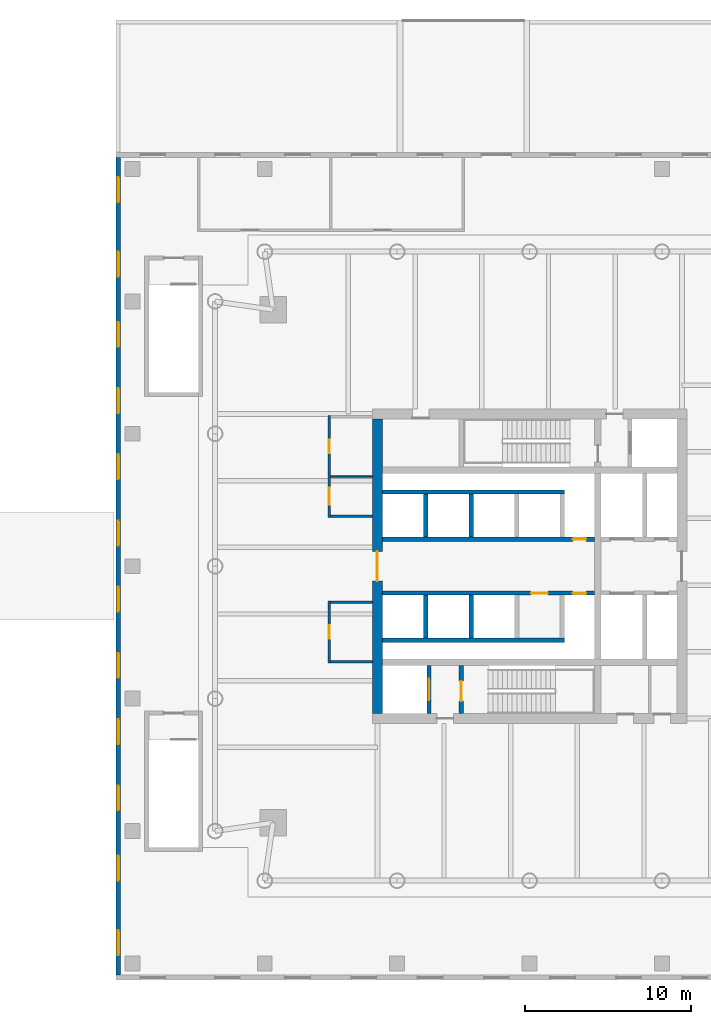
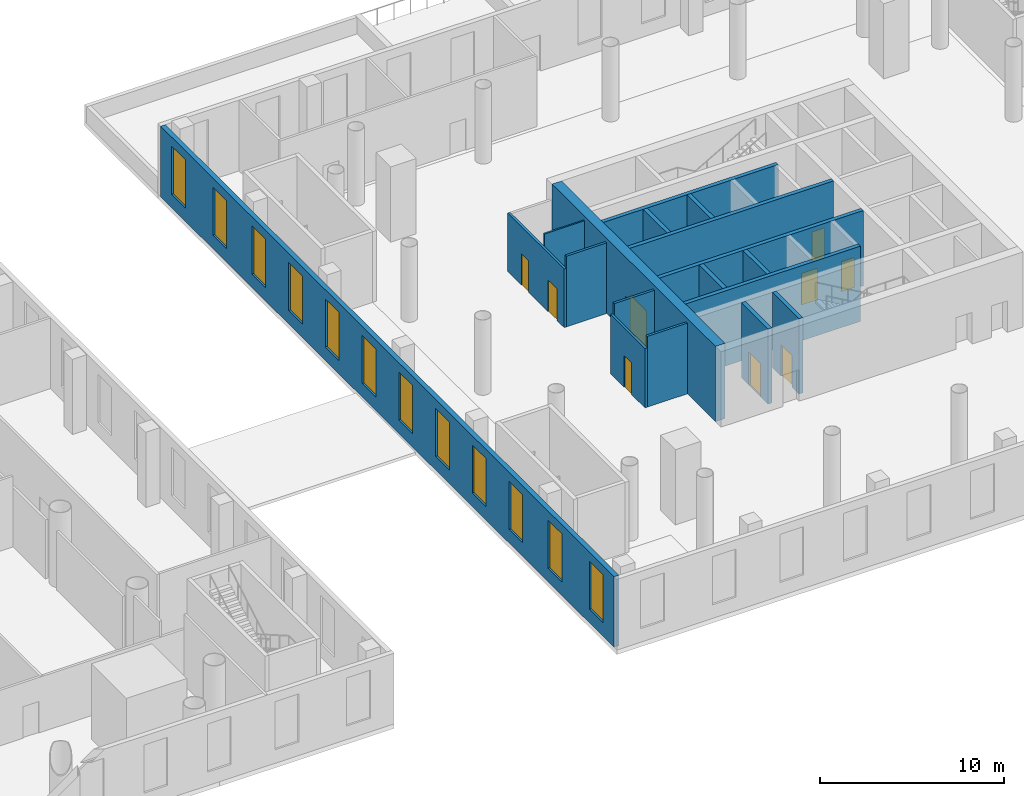
# One storey, part 10 of 16: 18 walls, 12 windows, 9 doors, 21 openings.
"""IFC4 building model written with IfcOpenShell, lengths in metres."""

from ifc_helpers import new_model, si_unit, direction, frame, frame_2d, origin, place, context, subcontext, project, spatial, rectangle, extrude, material, layer, layer_set, type_object, element, fill, save


model = new_model("IFC4")

# Units and contexts
model_context = context("Model", 3, precision=1e-05, world=origin(), true_north=direction((0.0, 1.0)))
body_context = subcontext(model_context, "Body", "Model", "MODEL_VIEW")
ifc_project = project(units=[si_unit("LENGTHUNIT", "METRE"), si_unit("AREAUNIT", "SQUARE_METRE"), si_unit("VOLUMEUNIT", "CUBIC_METRE"), si_unit("PLANEANGLEUNIT", "RADIAN"), si_unit("MASSUNIT", "GRAM", prefix="KILO")], contexts=[model_context])

# Site, building, storey
site_placement = place(None, origin())
site = spatial("IfcSite", under=ifc_project, at=site_placement, CompositionType="ELEMENT")
building_placement = place(site_placement, origin())
building = spatial("IfcBuilding", under=site, at=building_placement, Name="Ostroluk Exchange", CompositionType="ELEMENT")
storey_placement = place(building_placement, frame((0.0, 0.0, 16.0)))
storey = spatial("IfcBuildingStorey", under=building, at=storey_placement, Name="L03", CompositionType="ELEMENT", Elevation=16.0)

# Wall
ifc_material_1 = material(Name="Concrete blockwork", Category="masonry")
ifc_layer_1 = layer(ifc_material_1, 0.10009765625)
ifc_layer_set_1 = layer_set([ifc_layer_1], Name="Blockwork WC wall 100")
wall_type_1 = type_object("IfcWallType", Name="Blockwork WC wall 100", PredefinedType="SOLIDWALL", material=ifc_layer_set_1)
wall_1_placement = place(storey_placement, frame((104.97509765625, 51.425048828125, 0.0), z_axis=(0.0, 0.0, 1.0), x_axis=(1.0, 0.0, 0.0)))
element("IfcWall", 1, at=wall_1_placement, inside=storey, type_object=wall_type_1, Name="Blockwork WC wall", PredefinedType="SOLIDWALL", context=body_context, shape_type="SweptSolid", body=[
    extrude(rectangle(XDim=2.52490234375, YDim=0.10009765625, at=frame_2d((1.262451171875, 0.0))), origin(), (0.0, 0.0, 1.0), 4.699951171875),
])

# Wall, opening, door
ifc_material_2 = material(Name="Concrete C40/50", Category="concrete")
ifc_layer_2 = layer(ifc_material_2, 0.25)
ifc_layer_set_2 = layer_set([ifc_layer_2], Name="Core shaft wall 250")
wall_type_2 = type_object("IfcWallType", Name="Core shaft wall 250", PredefinedType="SHEAR", material=ifc_layer_set_2)
wall_2_placement = place(storey_placement, frame((110.925048828125, 37.10009765625, 0.0), z_axis=(0.0, 0.0, 1.0), x_axis=(0.0, 1.0, 0.0)))
wall_2 = element("IfcWall", 2, at=wall_2_placement, inside=storey, type_object=wall_type_2, Name="Firefighting lift shaft wall", PredefinedType="SHEAR", context=body_context, shape_type="SweptSolid", body=[
    extrude(rectangle(XDim=2.89990234375, YDim=0.25, at=frame_2d((1.449951171875, 0.0))), origin(), (0.0, 0.0, 1.0), 5.0),
])
opening_1_placement = place(wall_2_placement, frame((0.800048828125, 0.0, 0.0)))
opening_1 = element("IfcOpeningElement", 3, at=opening_1_placement, cuts=wall_2, Name="Opening LD2", PredefinedType="OPENING", context=body_context, shape_type="SweptSolid", body=[
    extrude(rectangle(XDim=1.300048828125, YDim=2.199951171875, at=frame_2d((0.64990234375, 1.10009765625))), frame((0.0, 0.135009765625, 0.0), z_axis=(0.0, -1.0, 0.0), x_axis=(1.0, 0.0, 0.0)), (0.0, 0.0, 1.0), 0.27001953125),
])
ifc_material_3 = material(Name="Stainless steel", Category="steel")
door_type_1 = type_object("IfcDoorType", Name="Lift landing door E 60 1300 x 2200", OperationType="DOUBLE_DOOR_SLIDING", PredefinedType="DOOR", material=ifc_material_3)
door_1_placement = place(opening_1_placement, origin())
door_1 = element("IfcDoor", 4, at=door_1_placement, inside=storey, type_object=door_type_1, Name="Lift HF1 landing door", OperationType="DOUBLE_DOOR_SLIDING", OverallHeight=2.199951171875, OverallWidth=1.300048828125, PredefinedType="DOOR", context=body_context, shape_type="SweptSolid", body=[
    extrude(rectangle(XDim=1.300048828125, YDim=2.199951171875, at=frame_2d((0.64990234375, 1.10009765625))), frame((0.0, 0.02490234375, 0.0), z_axis=(0.0, -1.0, 0.0), x_axis=(1.0, 0.0, 0.0)), (0.0, 0.0, 1.0), 0.050048828125),
])
fill(opening_1, door_1)

wall_3_placement = place(storey_placement, frame((112.875, 37.10009765625, 0.0), z_axis=(0.0, 0.0, 1.0), x_axis=(0.0, 1.0, 0.0)))
wall_3 = element("IfcWall", 5, at=wall_3_placement, inside=storey, type_object=wall_type_2, Name="Stair shaft wall", PredefinedType="SHEAR", context=body_context, shape_type="SweptSolid", body=[
    extrude(rectangle(XDim=2.89990234375, YDim=0.25, at=frame_2d((1.449951171875, 0.0))), origin(), (0.0, 0.0, 1.0), 5.0),
])
opening_2_placement = place(wall_3_placement, frame((0.75, 0.0, 0.0)))
opening_2 = element("IfcOpeningElement", 6, at=opening_2_placement, cuts=wall_3, Name="Opening FD60S", PredefinedType="OPENING", context=body_context, shape_type="SweptSolid", body=[
    extrude(rectangle(XDim=1.199951171875, YDim=2.10009765625, at=frame_2d((0.60009765625, 1.050048828125))), frame((0.0, 0.135009765625, 0.0), z_axis=(0.0, -1.0, 0.0), x_axis=(1.0, 0.0, 0.0)), (0.0, 0.0, 1.0), 0.27001953125),
])
ifc_material_4 = material(Name="Steel", Category="steel")
door_type_2 = type_object("IfcDoorType", Name="Stair door EI 60 1200 x 2100", OperationType="SINGLE_SWING_LEFT", PredefinedType="DOOR", material=ifc_material_4)
door_2_placement = place(opening_2_placement, origin())
door_2 = element("IfcDoor", 7, at=door_2_placement, inside=storey, type_object=door_type_2, Name="Stair T2-S1 door", OperationType="SINGLE_SWING_LEFT", OverallHeight=2.10009765625, OverallWidth=1.199951171875, PredefinedType="DOOR", context=body_context, shape_type="SweptSolid", body=[
    extrude(rectangle(XDim=1.199951171875, YDim=2.10009765625, at=frame_2d((0.60009765625, 1.050048828125))), frame((0.0, 0.02490234375, 0.0), z_axis=(0.0, -1.0, 0.0), x_axis=(1.0, 0.0, 0.0)), (0.0, 0.0, 1.0), 0.050048828125),
])
fill(opening_2, door_2)

# Walls
for number, where, z_axis, x_axis, name in (
    (8, (110.72509765625, 47.75, 0.0), (0.0, 0.0, 1.0), (0.0, 1.0, 0.0), "Lift shaft wall"),
    (9, (113.47509765625, 47.75, 0.0), (0.0, 0.0, 1.0), (0.0, 1.0, 0.0), "Lift shaft wall"),
):
    element("IfcWall", number, at=place(storey_placement, frame(where, z_axis=z_axis, x_axis=x_axis)), inside=storey, type_object=wall_type_2, Name=name, PredefinedType="SHEAR", context=body_context, shape_type="SweptSolid", body=[
        extrude(rectangle(XDim=2.60009765625, YDim=0.25, at=frame_2d((1.300048828125, 0.0))), origin(), (0.0, 0.0, 1.0), 5.0),
    ])
wall_4_placement = place(storey_placement, frame((108.10009765625, 50.47509765625, 0.0), z_axis=(0.0, 0.0, 1.0), x_axis=(1.0, 0.0, 0.0)))
element("IfcWall", 10, at=wall_4_placement, inside=storey, type_object=wall_type_2, Name="Lift shaft wall", PredefinedType="SHEAR", context=body_context, shape_type="SweptSolid", body=[
    extrude(rectangle(XDim=11.0, YDim=0.25, at=frame_2d((5.5, 0.0))), origin(), (0.0, 0.0, 1.0), 5.0),
])

# Wall, opening, door
wall_5_placement = place(storey_placement, frame((108.10009765625, 47.625, 0.0), z_axis=(0.0, 0.0, 1.0), x_axis=(1.0, 0.0, 0.0)))
wall_5 = element("IfcWall", 11, at=wall_5_placement, inside=storey, type_object=wall_type_2, Name="Lift shaft front wall", PredefinedType="SHEAR", context=body_context, shape_type="SweptSolid", body=[
    extrude(rectangle(XDim=12.829833984375, YDim=0.25, at=frame_2d((6.4150390625, 0.0))), origin(), (0.0, 0.0, 1.0), 5.0),
])
opening_3_placement = place(wall_5_placement, frame((11.514892578125, 0.0, 0.0)))
opening_3 = element("IfcOpeningElement", 12, at=opening_3_placement, cuts=wall_5, Name="Opening RD60", PredefinedType="OPENING", context=body_context, shape_type="SweptSolid", body=[
    extrude(rectangle(XDim=0.800048828125, YDim=2.0, at=frame_2d((0.39990234375, 1.0))), frame((0.0, 0.135009765625, 0.0), z_axis=(0.0, -1.0, 0.0), x_axis=(1.0, 0.0, 0.0)), (0.0, 0.0, 1.0), 0.27001953125),
])
ifc_material_5 = material(Name="Steel", Category="steel")
door_type_3 = type_object("IfcDoorType", Name="Riser access door EI 60 800 x 2000", OperationType="SINGLE_SWING_LEFT", PredefinedType="DOOR", material=ifc_material_5)
door_3_placement = place(opening_3_placement, origin())
door_3 = element("IfcDoor", 13, at=door_3_placement, inside=storey, type_object=door_type_3, Name="Riser access door", OperationType="SINGLE_SWING_RIGHT", OverallHeight=2.0, OverallWidth=0.800048828125, PredefinedType="DOOR", context=body_context, shape_type="SweptSolid", body=[
    extrude(rectangle(XDim=0.800048828125, YDim=2.0, at=frame_2d((0.39990234375, 1.0))), frame((0.0, 0.02490234375, 0.0), z_axis=(0.0, -1.0, 0.0), x_axis=(1.0, 0.0, 0.0)), (0.0, 0.0, 1.0), 0.050048828125),
])
fill(opening_3, door_3)

# Walls
for number, where, z_axis, x_axis, name in (
    (14, (110.72509765625, 44.25, 0.0), (0.0, 0.0, 1.0), (0.0, -1.0, 0.0), "Lift shaft wall"),
    (15, (113.47509765625, 44.25, 0.0), (0.0, 0.0, 1.0), (0.0, -1.0, 0.0), "Lift shaft wall"),
):
    element("IfcWall", number, at=place(storey_placement, frame(where, z_axis=z_axis, x_axis=x_axis)), inside=storey, type_object=wall_type_2, Name=name, PredefinedType="SHEAR", context=body_context, shape_type="SweptSolid", body=[
        extrude(rectangle(XDim=2.60009765625, YDim=0.25, at=frame_2d((1.300048828125, 0.0))), origin(), (0.0, 0.0, 1.0), 5.0),
    ])
wall_6_placement = place(storey_placement, frame((108.10009765625, 41.52490234375, 0.0), z_axis=(0.0, 0.0, 1.0), x_axis=(1.0, 0.0, 0.0)))
element("IfcWall", 16, at=wall_6_placement, inside=storey, type_object=wall_type_2, Name="Lift shaft wall", PredefinedType="SHEAR", context=body_context, shape_type="SweptSolid", body=[
    extrude(rectangle(XDim=11.0, YDim=0.25, at=frame_2d((5.5, 0.0))), origin(), (0.0, 0.0, 1.0), 5.0),
])

# Wall, openings, doors
wall_7_placement = place(storey_placement, frame((108.10009765625, 44.375, 0.0), z_axis=(0.0, 0.0, 1.0), x_axis=(1.0, 0.0, 0.0)))
wall_7 = element("IfcWall", 17, at=wall_7_placement, inside=storey, type_object=wall_type_2, Name="Lift shaft front wall", PredefinedType="SHEAR", context=body_context, shape_type="SweptSolid", body=[
    extrude(rectangle(XDim=12.829833984375, YDim=0.25, at=frame_2d((6.4150390625, 0.0))), origin(), (0.0, 0.0, 1.0), 5.0),
])
opening_4_placement = place(wall_7_placement, frame((9.0, 0.0, 0.0)))
opening_4 = element("IfcOpeningElement", 18, at=opening_4_placement, cuts=wall_7, Name="Opening FD60", PredefinedType="OPENING", context=body_context, shape_type="SweptSolid", body=[
    extrude(rectangle(XDim=1.0, YDim=2.10009765625, at=frame_2d((0.5, 1.050048828125))), frame((0.0, 0.135009765625, 0.0), z_axis=(0.0, -1.0, 0.0), x_axis=(1.0, 0.0, 0.0)), (0.0, 0.0, 1.0), 0.27001953125),
])
opening_5_placement = place(wall_7_placement, frame((11.514892578125, 0.0, 0.0)))
opening_5 = element("IfcOpeningElement", 19, at=opening_5_placement, cuts=wall_7, Name="Opening RD60", PredefinedType="OPENING", context=body_context, shape_type="SweptSolid", body=[
    extrude(rectangle(XDim=0.800048828125, YDim=2.0, at=frame_2d((0.39990234375, 1.0))), frame((0.0, 0.135009765625, 0.0), z_axis=(0.0, -1.0, 0.0), x_axis=(1.0, 0.0, 0.0)), (0.0, 0.0, 1.0), 0.27001953125),
])
ifc_material_6 = material(Name="Steel", Category="steel")
door_type_4 = type_object("IfcDoorType", Name="Fire door EI 60 1000 x 2100", OperationType="SINGLE_SWING_LEFT", PredefinedType="DOOR", material=ifc_material_6)
door_4_placement = place(opening_4_placement, origin())
door_4 = element("IfcDoor", 20, at=door_4_placement, inside=storey, type_object=door_type_4, Name="Core room door", OperationType="SINGLE_SWING_RIGHT", OverallHeight=2.10009765625, OverallWidth=1.0, PredefinedType="DOOR", context=body_context, shape_type="SweptSolid", body=[
    extrude(rectangle(XDim=1.0, YDim=2.10009765625, at=frame_2d((0.5, 1.050048828125))), frame((0.0, 0.02490234375, 0.0), z_axis=(0.0, -1.0, 0.0), x_axis=(1.0, 0.0, 0.0)), (0.0, 0.0, 1.0), 0.050048828125),
])
fill(opening_4, door_4)
door_5_placement = place(opening_5_placement, origin())
door_5 = element("IfcDoor", 21, at=door_5_placement, inside=storey, type_object=door_type_3, Name="Riser access door", OperationType="SINGLE_SWING_RIGHT", OverallHeight=2.0, OverallWidth=0.800048828125, PredefinedType="DOOR", context=body_context, shape_type="SweptSolid", body=[
    extrude(rectangle(XDim=0.800048828125, YDim=2.0, at=frame_2d((0.39990234375, 1.0))), frame((0.0, 0.02490234375, 0.0), z_axis=(0.0, -1.0, 0.0), x_axis=(1.0, 0.0, 0.0)), (0.0, 0.0, 1.0), 0.050048828125),
])
fill(opening_5, door_5)

# Wall, opening, door
ifc_material_7 = material(Name="Concrete C50/60", Category="concrete")
ifc_layer_3 = layer(ifc_material_7, 0.60009765625)
ifc_layer_set_3 = layer_set([ifc_layer_3], Name="Core wall 600 C50/60")
wall_type_3 = type_object("IfcWallType", Name="Core wall 600 C50/60", PredefinedType="SHEAR", material=ifc_layer_set_3)
wall_8_placement = place(storey_placement, frame((107.800048828125, 37.10009765625, 0.0), z_axis=(0.0, 0.0, 1.0), x_axis=(0.0, 1.0, 0.0)))
wall_8 = element("IfcWall", 22, at=wall_8_placement, inside=storey, type_object=wall_type_3, Name="T2 core wall W", PredefinedType="SHEAR", context=body_context, shape_type="SweptSolid", body=[
    extrude(rectangle(XDim=17.7998046875, YDim=0.60009765625, at=frame_2d((8.89990234375, 0.0))), origin(), (0.0, 0.0, 1.0), 5.0),
])
opening_6_placement = place(wall_8_placement, frame((8.0, 0.0, 0.0)))
opening_6 = element("IfcOpeningElement", 23, at=opening_6_placement, cuts=wall_8, Name="Opening FD30D", PredefinedType="OPENING", context=body_context, shape_type="SweptSolid", body=[
    extrude(rectangle(XDim=1.800048828125, YDim=2.39990234375, at=frame_2d((0.89990234375, 1.199951171875))), frame((0.0, 0.31005859375, 0.0), z_axis=(0.0, -1.0, 0.0), x_axis=(1.0, 0.0, 0.0)), (0.0, 0.0, 1.0), 0.6201171875),
])
ifc_material_8 = material(Name="Timber", Category="wood")
door_type_5 = type_object("IfcDoorType", Name="Lobby double door EI 30 1800 x 2400", OperationType="DOUBLE_DOOR_SINGLE_SWING", PredefinedType="DOOR", material=ifc_material_8)
door_6_placement = place(opening_6_placement, origin())
door_6 = element("IfcDoor", 24, at=door_6_placement, inside=storey, type_object=door_type_5, Name="Lift lobby doors", OperationType="DOUBLE_DOOR_SINGLE_SWING", OverallHeight=2.39990234375, OverallWidth=1.800048828125, PredefinedType="DOOR", context=body_context, shape_type="SweptSolid", body=[
    extrude(rectangle(XDim=1.800048828125, YDim=2.39990234375, at=frame_2d((0.89990234375, 1.199951171875))), frame((0.0, 0.02490234375, 0.0), z_axis=(0.0, -1.0, 0.0), x_axis=(1.0, 0.0, 0.0)), (0.0, 0.0, 1.0), 0.050048828125),
])
fill(opening_6, door_6)

# Wall, openings, windows
ifc_material_9 = material(Name="Limestone", Category="masonry")
ifc_layer_4 = layer(ifc_material_9, 0.300048828125)
ifc_layer_set_4 = layer_set([ifc_layer_4], Name="Limestone facade wall 300")
wall_type_4 = type_object("IfcWallType", Name="Limestone facade wall 300", PredefinedType="SOLIDWALL", material=ifc_layer_set_4)
wall_9_placement = place(storey_placement, frame((92.14990234375, 70.699951171875, 0.0), z_axis=(0.0, 0.0, 1.0), x_axis=(0.0, -1.0, 0.0)))
wall_9 = element("IfcWall", 25, at=wall_9_placement, inside=storey, type_object=wall_type_4, Name="Podium east W wall L03 1a", PredefinedType="SOLIDWALL", context=body_context, shape_type="SweptSolid", body=[
    extrude(rectangle(XDim=49.39990234375, YDim=0.300048828125, at=frame_2d((24.699951171875, 0.0))), origin(), (0.0, 0.0, 1.0), 4.699951171875),
])
opening_7_placement = place(wall_9_placement, frame((1.199951171875, 0.0, 0.89990234375)))
opening_7 = element("IfcOpeningElement", 26, at=opening_7_placement, cuts=wall_9, Name="Opening WN-L2", PredefinedType="OPENING", context=body_context, shape_type="SweptSolid", body=[
    extrude(rectangle(XDim=1.5, YDim=3.199951171875, at=frame_2d((0.75, 1.60009765625))), frame((0.0, 0.159912109375, 0.0), z_axis=(0.0, -1.0, 0.0), x_axis=(1.0, 0.0, 0.0)), (0.0, 0.0, 1.0), 0.320068359375),
])
opening_8_placement = place(wall_9_placement, frame((5.699951171875, 0.0, 0.89990234375)))
opening_8 = element("IfcOpeningElement", 27, at=opening_8_placement, cuts=wall_9, Name="Opening WN-L2", PredefinedType="OPENING", context=body_context, shape_type="SweptSolid", body=[
    extrude(rectangle(XDim=1.5, YDim=3.199951171875, at=frame_2d((0.75, 1.60009765625))), frame((0.0, 0.159912109375, 0.0), z_axis=(0.0, -1.0, 0.0), x_axis=(1.0, 0.0, 0.0)), (0.0, 0.0, 1.0), 0.320068359375),
])
opening_9_placement = place(wall_9_placement, frame((9.949951171875, 0.0, 0.89990234375)))
opening_9 = element("IfcOpeningElement", 28, at=opening_9_placement, cuts=wall_9, Name="Opening WN-L2", PredefinedType="OPENING", context=body_context, shape_type="SweptSolid", body=[
    extrude(rectangle(XDim=1.5, YDim=3.199951171875, at=frame_2d((0.75, 1.60009765625))), frame((0.0, 0.159912109375, 0.0), z_axis=(0.0, -1.0, 0.0), x_axis=(1.0, 0.0, 0.0)), (0.0, 0.0, 1.0), 0.320068359375),
])
opening_10_placement = place(wall_9_placement, frame((13.949951171875, 0.0, 0.89990234375)))
opening_10 = element("IfcOpeningElement", 29, at=opening_10_placement, cuts=wall_9, Name="Opening WN-L2", PredefinedType="OPENING", context=body_context, shape_type="SweptSolid", body=[
    extrude(rectangle(XDim=1.5, YDim=3.199951171875, at=frame_2d((0.75, 1.60009765625))), frame((0.0, 0.159912109375, 0.0), z_axis=(0.0, -1.0, 0.0), x_axis=(1.0, 0.0, 0.0)), (0.0, 0.0, 1.0), 0.320068359375),
])
opening_11_placement = place(wall_9_placement, frame((17.949951171875, 0.0, 0.89990234375)))
opening_11 = element("IfcOpeningElement", 30, at=opening_11_placement, cuts=wall_9, Name="Opening WN-L2", PredefinedType="OPENING", context=body_context, shape_type="SweptSolid", body=[
    extrude(rectangle(XDim=1.5, YDim=3.199951171875, at=frame_2d((0.75, 1.60009765625))), frame((0.0, 0.159912109375, 0.0), z_axis=(0.0, -1.0, 0.0), x_axis=(1.0, 0.0, 0.0)), (0.0, 0.0, 1.0), 0.320068359375),
])
opening_12_placement = place(wall_9_placement, frame((21.949951171875, 0.0, 0.89990234375)))
opening_12 = element("IfcOpeningElement", 31, at=opening_12_placement, cuts=wall_9, Name="Opening WN-L2", PredefinedType="OPENING", context=body_context, shape_type="SweptSolid", body=[
    extrude(rectangle(XDim=1.5, YDim=3.199951171875, at=frame_2d((0.75, 1.60009765625))), frame((0.0, 0.159912109375, 0.0), z_axis=(0.0, -1.0, 0.0), x_axis=(1.0, 0.0, 0.0)), (0.0, 0.0, 1.0), 0.320068359375),
])
opening_13_placement = place(wall_9_placement, frame((25.949951171875, 0.0, 0.89990234375)))
opening_13 = element("IfcOpeningElement", 32, at=opening_13_placement, cuts=wall_9, Name="Opening WN-L2", PredefinedType="OPENING", context=body_context, shape_type="SweptSolid", body=[
    extrude(rectangle(XDim=1.5, YDim=3.199951171875, at=frame_2d((0.75, 1.60009765625))), frame((0.0, 0.159912109375, 0.0), z_axis=(0.0, -1.0, 0.0), x_axis=(1.0, 0.0, 0.0)), (0.0, 0.0, 1.0), 0.320068359375),
])
opening_14_placement = place(wall_9_placement, frame((29.949951171875, 0.0, 0.89990234375)))
opening_14 = element("IfcOpeningElement", 33, at=opening_14_placement, cuts=wall_9, Name="Opening WN-L2", PredefinedType="OPENING", context=body_context, shape_type="SweptSolid", body=[
    extrude(rectangle(XDim=1.5, YDim=3.199951171875, at=frame_2d((0.75, 1.60009765625))), frame((0.0, 0.159912109375, 0.0), z_axis=(0.0, -1.0, 0.0), x_axis=(1.0, 0.0, 0.0)), (0.0, 0.0, 1.0), 0.320068359375),
])
opening_15_placement = place(wall_9_placement, frame((33.949951171875, 0.0, 0.89990234375)))
opening_15 = element("IfcOpeningElement", 34, at=opening_15_placement, cuts=wall_9, Name="Opening WN-L2", PredefinedType="OPENING", context=body_context, shape_type="SweptSolid", body=[
    extrude(rectangle(XDim=1.5, YDim=3.199951171875, at=frame_2d((0.75, 1.60009765625))), frame((0.0, 0.159912109375, 0.0), z_axis=(0.0, -1.0, 0.0), x_axis=(1.0, 0.0, 0.0)), (0.0, 0.0, 1.0), 0.320068359375),
])
opening_16_placement = place(wall_9_placement, frame((37.949951171875, 0.0, 0.89990234375)))
opening_16 = element("IfcOpeningElement", 35, at=opening_16_placement, cuts=wall_9, Name="Opening WN-L2", PredefinedType="OPENING", context=body_context, shape_type="SweptSolid", body=[
    extrude(rectangle(XDim=1.5, YDim=3.199951171875, at=frame_2d((0.75, 1.60009765625))), frame((0.0, 0.159912109375, 0.0), z_axis=(0.0, -1.0, 0.0), x_axis=(1.0, 0.0, 0.0)), (0.0, 0.0, 1.0), 0.320068359375),
])
opening_17_placement = place(wall_9_placement, frame((42.199951171875, 0.0, 0.89990234375)))
opening_17 = element("IfcOpeningElement", 36, at=opening_17_placement, cuts=wall_9, Name="Opening WN-L2", PredefinedType="OPENING", context=body_context, shape_type="SweptSolid", body=[
    extrude(rectangle(XDim=1.5, YDim=3.199951171875, at=frame_2d((0.75, 1.60009765625))), frame((0.0, 0.159912109375, 0.0), z_axis=(0.0, -1.0, 0.0), x_axis=(1.0, 0.0, 0.0)), (0.0, 0.0, 1.0), 0.320068359375),
])
opening_18_placement = place(wall_9_placement, frame((46.699951171875, 0.0, 0.89990234375)))
opening_18 = element("IfcOpeningElement", 37, at=opening_18_placement, cuts=wall_9, Name="Opening WN-L2", PredefinedType="OPENING", context=body_context, shape_type="SweptSolid", body=[
    extrude(rectangle(XDim=1.5, YDim=3.199951171875, at=frame_2d((0.75, 1.60009765625))), frame((0.0, 0.159912109375, 0.0), z_axis=(0.0, -1.0, 0.0), x_axis=(1.0, 0.0, 0.0)), (0.0, 0.0, 1.0), 0.320068359375),
])
ifc_material_10 = material(Name="Laminated clear glass", Category="glass")
window_type = type_object("IfcWindowType", Name="Podium lancet window 1500 x 3200", PartitioningType="DOUBLE_PANEL_VERTICAL", PredefinedType="WINDOW", material=ifc_material_10)
window_1_placement = place(opening_7_placement, origin())
window_1 = element("IfcWindow", 38, at=window_1_placement, inside=storey, type_object=window_type, Name="Podium east lancet window W L03 1.1", OverallHeight=3.199951171875, OverallWidth=1.5, PartitioningType="SINGLE_PANEL", PredefinedType="WINDOW", context=body_context, shape_type="SweptSolid", body=[
    extrude(rectangle(XDim=1.5, YDim=3.199951171875, at=frame_2d((0.75, 1.60009765625))), frame((0.0, 0.030029296875, 0.0), z_axis=(0.0, -1.0, 0.0), x_axis=(1.0, 0.0, 0.0)), (0.0, 0.0, 1.0), 0.06005859375),
])
fill(opening_7, window_1)
window_2_placement = place(opening_8_placement, origin())
window_2 = element("IfcWindow", 39, at=window_2_placement, inside=storey, type_object=window_type, Name="Podium east lancet window W L03 1.2", OverallHeight=3.199951171875, OverallWidth=1.5, PartitioningType="SINGLE_PANEL", PredefinedType="WINDOW", context=body_context, shape_type="SweptSolid", body=[
    extrude(rectangle(XDim=1.5, YDim=3.199951171875, at=frame_2d((0.75, 1.60009765625))), frame((0.0, 0.030029296875, 0.0), z_axis=(0.0, -1.0, 0.0), x_axis=(1.0, 0.0, 0.0)), (0.0, 0.0, 1.0), 0.06005859375),
])
fill(opening_8, window_2)
window_3_placement = place(opening_9_placement, origin())
window_3 = element("IfcWindow", 40, at=window_3_placement, inside=storey, type_object=window_type, Name="Podium east lancet window W L03 2.1", OverallHeight=3.199951171875, OverallWidth=1.5, PartitioningType="SINGLE_PANEL", PredefinedType="WINDOW", context=body_context, shape_type="SweptSolid", body=[
    extrude(rectangle(XDim=1.5, YDim=3.199951171875, at=frame_2d((0.75, 1.60009765625))), frame((0.0, 0.030029296875, 0.0), z_axis=(0.0, -1.0, 0.0), x_axis=(1.0, 0.0, 0.0)), (0.0, 0.0, 1.0), 0.06005859375),
])
fill(opening_9, window_3)
window_4_placement = place(opening_10_placement, origin())
window_4 = element("IfcWindow", 41, at=window_4_placement, inside=storey, type_object=window_type, Name="Podium east lancet window W L03 2.2", OverallHeight=3.199951171875, OverallWidth=1.5, PartitioningType="SINGLE_PANEL", PredefinedType="WINDOW", context=body_context, shape_type="SweptSolid", body=[
    extrude(rectangle(XDim=1.5, YDim=3.199951171875, at=frame_2d((0.75, 1.60009765625))), frame((0.0, 0.030029296875, 0.0), z_axis=(0.0, -1.0, 0.0), x_axis=(1.0, 0.0, 0.0)), (0.0, 0.0, 1.0), 0.06005859375),
])
fill(opening_10, window_4)
window_5_placement = place(opening_11_placement, origin())
window_5 = element("IfcWindow", 42, at=window_5_placement, inside=storey, type_object=window_type, Name="Podium east lancet window W L03 3.1", OverallHeight=3.199951171875, OverallWidth=1.5, PartitioningType="SINGLE_PANEL", PredefinedType="WINDOW", context=body_context, shape_type="SweptSolid", body=[
    extrude(rectangle(XDim=1.5, YDim=3.199951171875, at=frame_2d((0.75, 1.60009765625))), frame((0.0, 0.030029296875, 0.0), z_axis=(0.0, -1.0, 0.0), x_axis=(1.0, 0.0, 0.0)), (0.0, 0.0, 1.0), 0.06005859375),
])
fill(opening_11, window_5)
window_6_placement = place(opening_12_placement, origin())
window_6 = element("IfcWindow", 43, at=window_6_placement, inside=storey, type_object=window_type, Name="Podium east lancet window W L03 3.2", OverallHeight=3.199951171875, OverallWidth=1.5, PartitioningType="SINGLE_PANEL", PredefinedType="WINDOW", context=body_context, shape_type="SweptSolid", body=[
    extrude(rectangle(XDim=1.5, YDim=3.199951171875, at=frame_2d((0.75, 1.60009765625))), frame((0.0, 0.030029296875, 0.0), z_axis=(0.0, -1.0, 0.0), x_axis=(1.0, 0.0, 0.0)), (0.0, 0.0, 1.0), 0.06005859375),
])
fill(opening_12, window_6)
window_7_placement = place(opening_13_placement, origin())
window_7 = element("IfcWindow", 44, at=window_7_placement, inside=storey, type_object=window_type, Name="Podium east lancet window W L03 4.1", OverallHeight=3.199951171875, OverallWidth=1.5, PartitioningType="SINGLE_PANEL", PredefinedType="WINDOW", context=body_context, shape_type="SweptSolid", body=[
    extrude(rectangle(XDim=1.5, YDim=3.199951171875, at=frame_2d((0.75, 1.60009765625))), frame((0.0, 0.030029296875, 0.0), z_axis=(0.0, -1.0, 0.0), x_axis=(1.0, 0.0, 0.0)), (0.0, 0.0, 1.0), 0.06005859375),
])
fill(opening_13, window_7)
window_8_placement = place(opening_14_placement, origin())
window_8 = element("IfcWindow", 45, at=window_8_placement, inside=storey, type_object=window_type, Name="Podium east lancet window W L03 4.2", OverallHeight=3.199951171875, OverallWidth=1.5, PartitioningType="SINGLE_PANEL", PredefinedType="WINDOW", context=body_context, shape_type="SweptSolid", body=[
    extrude(rectangle(XDim=1.5, YDim=3.199951171875, at=frame_2d((0.75, 1.60009765625))), frame((0.0, 0.030029296875, 0.0), z_axis=(0.0, -1.0, 0.0), x_axis=(1.0, 0.0, 0.0)), (0.0, 0.0, 1.0), 0.06005859375),
])
fill(opening_14, window_8)
window_9_placement = place(opening_15_placement, origin())
window_9 = element("IfcWindow", 46, at=window_9_placement, inside=storey, type_object=window_type, Name="Podium east lancet window W L03 5.1", OverallHeight=3.199951171875, OverallWidth=1.5, PartitioningType="SINGLE_PANEL", PredefinedType="WINDOW", context=body_context, shape_type="SweptSolid", body=[
    extrude(rectangle(XDim=1.5, YDim=3.199951171875, at=frame_2d((0.75, 1.60009765625))), frame((0.0, 0.030029296875, 0.0), z_axis=(0.0, -1.0, 0.0), x_axis=(1.0, 0.0, 0.0)), (0.0, 0.0, 1.0), 0.06005859375),
])
fill(opening_15, window_9)
window_10_placement = place(opening_16_placement, origin())
window_10 = element("IfcWindow", 47, at=window_10_placement, inside=storey, type_object=window_type, Name="Podium east lancet window W L03 5.2", OverallHeight=3.199951171875, OverallWidth=1.5, PartitioningType="SINGLE_PANEL", PredefinedType="WINDOW", context=body_context, shape_type="SweptSolid", body=[
    extrude(rectangle(XDim=1.5, YDim=3.199951171875, at=frame_2d((0.75, 1.60009765625))), frame((0.0, 0.030029296875, 0.0), z_axis=(0.0, -1.0, 0.0), x_axis=(1.0, 0.0, 0.0)), (0.0, 0.0, 1.0), 0.06005859375),
])
fill(opening_16, window_10)
window_11_placement = place(opening_17_placement, origin())
window_11 = element("IfcWindow", 48, at=window_11_placement, inside=storey, type_object=window_type, Name="Podium east lancet window W L03 6.1", OverallHeight=3.199951171875, OverallWidth=1.5, PartitioningType="SINGLE_PANEL", PredefinedType="WINDOW", context=body_context, shape_type="SweptSolid", body=[
    extrude(rectangle(XDim=1.5, YDim=3.199951171875, at=frame_2d((0.75, 1.60009765625))), frame((0.0, 0.030029296875, 0.0), z_axis=(0.0, -1.0, 0.0), x_axis=(1.0, 0.0, 0.0)), (0.0, 0.0, 1.0), 0.06005859375),
])
fill(opening_17, window_11)
window_12_placement = place(opening_18_placement, origin())
window_12 = element("IfcWindow", 49, at=window_12_placement, inside=storey, type_object=window_type, Name="Podium east lancet window W L03 6.2", OverallHeight=3.199951171875, OverallWidth=1.5, PartitioningType="SINGLE_PANEL", PredefinedType="WINDOW", context=body_context, shape_type="SweptSolid", body=[
    extrude(rectangle(XDim=1.5, YDim=3.199951171875, at=frame_2d((0.75, 1.60009765625))), frame((0.0, 0.030029296875, 0.0), z_axis=(0.0, -1.0, 0.0), x_axis=(1.0, 0.0, 0.0)), (0.0, 0.0, 1.0), 0.06005859375),
])
fill(opening_18, window_12)

# Wall, openings, doors
ifc_material_11 = material(Name="Gypsum plasterboard partition, moisture resistant", Category="gypsum")
ifc_layer_5 = layer(ifc_material_11, 0.14990234375)
ifc_layer_set_5 = layer_set([ifc_layer_5], Name="Plasterboard toilet partition 150")
wall_type_5 = type_object("IfcWallType", Name="Plasterboard toilet partition 150", PredefinedType="PARTITIONING", material=ifc_layer_set_5)
wall_10_placement = place(storey_placement, frame((104.89990234375, 55.10009765625, 0.0), z_axis=(0.0, 0.0, 1.0), x_axis=(0.0, -1.0, 0.0)))
wall_10 = element("IfcWall", 50, at=wall_10_placement, inside=storey, type_object=wall_type_5, Name="Toilet partition", PredefinedType="PARTITIONING", context=body_context, shape_type="SweptSolid", body=[
    extrude(rectangle(XDim=6.150146484375, YDim=0.14990234375, at=frame_2d((3.0751953125, 0.0))), origin(), (0.0, 0.0, 1.0), 3.89990234375),
])
opening_19_placement = place(wall_10_placement, frame((1.47509765625, 0.0, 0.0)))
opening_19 = element("IfcOpeningElement", 51, at=opening_19_placement, cuts=wall_10, Name="Opening D-06", PredefinedType="OPENING", context=body_context, shape_type="SweptSolid", body=[
    extrude(rectangle(XDim=0.800048828125, YDim=2.10009765625, at=frame_2d((0.39990234375, 1.050048828125))), frame((0.0, 0.0849609375, 0.0), z_axis=(0.0, -1.0, 0.0), x_axis=(1.0, 0.0, 0.0)), (0.0, 0.0, 1.0), 0.169921875),
])
opening_20_placement = place(wall_10_placement, frame((4.375, 0.0, 0.0)))
opening_20 = element("IfcOpeningElement", 52, at=opening_20_placement, cuts=wall_10, Name="Opening D-03", PredefinedType="OPENING", context=body_context, shape_type="SweptSolid", body=[
    extrude(rectangle(XDim=1.0, YDim=2.10009765625, at=frame_2d((0.5, 1.050048828125))), frame((0.0, 0.0849609375, 0.0), z_axis=(0.0, -1.0, 0.0), x_axis=(1.0, 0.0, 0.0)), (0.0, 0.0, 1.0), 0.169921875),
])
ifc_material_12 = material(Name="Timber", Category="wood")
door_type_6 = type_object("IfcDoorType", Name="Internal door 1000 x 2100", OperationType="SINGLE_SWING_LEFT", PredefinedType="DOOR", material=ifc_material_12)
door_7_placement = place(opening_20_placement, origin())
door_7 = element("IfcDoor", 53, at=door_7_placement, inside=storey, type_object=door_type_6, Name="Accessible WC door", OperationType="SINGLE_SWING_RIGHT", OverallHeight=2.10009765625, OverallWidth=1.0, PredefinedType="DOOR", context=body_context, shape_type="SweptSolid", body=[
    extrude(rectangle(XDim=1.0, YDim=2.10009765625, at=frame_2d((0.5, 1.050048828125))), frame((0.0, 0.02490234375, 0.0), z_axis=(0.0, -1.0, 0.0), x_axis=(1.0, 0.0, 0.0)), (0.0, 0.0, 1.0), 0.050048828125),
])
fill(opening_20, door_7)
ifc_material_13 = material(Name="Timber", Category="wood")
door_type_7 = type_object("IfcDoorType", Name="Toilet door 800 x 2100", OperationType="SINGLE_SWING_LEFT", PredefinedType="DOOR", material=ifc_material_13)
door_8_placement = place(opening_19_placement, origin())
door_8 = element("IfcDoor", 54, at=door_8_placement, inside=storey, type_object=door_type_7, Name="WC female door", OperationType="SINGLE_SWING_LEFT", OverallHeight=2.10009765625, OverallWidth=0.800048828125, PredefinedType="DOOR", context=body_context, shape_type="SweptSolid", body=[
    extrude(rectangle(XDim=0.800048828125, YDim=2.10009765625, at=frame_2d((0.39990234375, 1.050048828125))), frame((0.0, 0.02490234375, 0.0), z_axis=(0.0, -1.0, 0.0), x_axis=(1.0, 0.0, 0.0)), (0.0, 0.0, 1.0), 0.050048828125),
])
fill(opening_19, door_8)

# Wall
wall_11_placement = place(storey_placement, frame((104.97509765625, 49.02490234375, 0.0), z_axis=(0.0, 0.0, 1.0), x_axis=(1.0, 0.0, 0.0)))
element("IfcWall", 55, at=wall_11_placement, inside=storey, type_object=wall_type_5, Name="Toilet partition", PredefinedType="PARTITIONING", context=body_context, shape_type="SweptSolid", body=[
    extrude(rectangle(XDim=2.52490234375, YDim=0.14990234375, at=frame_2d((1.262451171875, 0.0))), origin(), (0.0, 0.0, 1.0), 4.699951171875),
])

# Wall, opening, door
wall_12_placement = place(storey_placement, frame((104.89990234375, 43.89990234375, 0.0), z_axis=(0.0, 0.0, 1.0), x_axis=(0.0, -1.0, 0.0)))
wall_12 = element("IfcWall", 56, at=wall_12_placement, inside=storey, type_object=wall_type_5, Name="Toilet partition", PredefinedType="PARTITIONING", context=body_context, shape_type="SweptSolid", body=[
    extrude(rectangle(XDim=3.75, YDim=0.14990234375, at=frame_2d((1.875, 0.0))), origin(), (0.0, 0.0, 1.0), 3.947021484375),
])
opening_21_placement = place(wall_12_placement, frame((1.47509765625, 0.0, 0.0)))
opening_21 = element("IfcOpeningElement", 57, at=opening_21_placement, cuts=wall_12, Name="Opening D-06", PredefinedType="OPENING", context=body_context, shape_type="SweptSolid", body=[
    extrude(rectangle(XDim=0.800048828125, YDim=2.10009765625, at=frame_2d((0.39990234375, 1.050048828125))), frame((0.0, 0.0849609375, 0.0), z_axis=(0.0, -1.0, 0.0), x_axis=(1.0, 0.0, 0.0)), (0.0, 0.0, 1.0), 0.169921875),
])
door_9_placement = place(opening_21_placement, origin())
door_9 = element("IfcDoor", 58, at=door_9_placement, inside=storey, type_object=door_type_7, Name="WC male door", OperationType="SINGLE_SWING_RIGHT", OverallHeight=2.10009765625, OverallWidth=0.800048828125, PredefinedType="DOOR", context=body_context, shape_type="SweptSolid", body=[
    extrude(rectangle(XDim=0.800048828125, YDim=2.10009765625, at=frame_2d((0.39990234375, 1.050048828125))), frame((0.0, 0.02490234375, 0.0), z_axis=(0.0, -1.0, 0.0), x_axis=(1.0, 0.0, 0.0)), (0.0, 0.0, 1.0), 0.050048828125),
])
fill(opening_21, door_9)

# Walls
for number, where, z_axis, x_axis, name in (
    (59, (104.97509765625, 43.824951171875, 0.0), (0.0, 0.0, 1.0), (1.0, 0.0, 0.0), "Toilet partition"),
    (60, (104.97509765625, 40.22509765625, 0.0), (0.0, 0.0, 1.0), (1.0, 0.0, 0.0), "Toilet partition"),
):
    element("IfcWall", number, at=place(storey_placement, frame(where, z_axis=z_axis, x_axis=x_axis)), inside=storey, type_object=wall_type_5, Name=name, PredefinedType="PARTITIONING", context=body_context, shape_type="SweptSolid", body=[
        extrude(rectangle(XDim=2.52490234375, YDim=0.14990234375, at=frame_2d((1.262451171875, 0.0))), origin(), (0.0, 0.0, 1.0), 4.699951171875),
    ])

save(model, "model.ifc")
